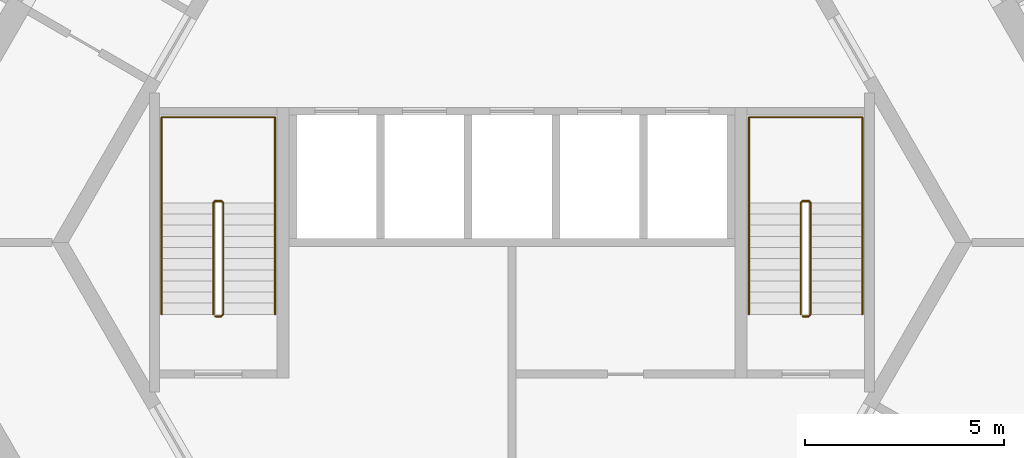
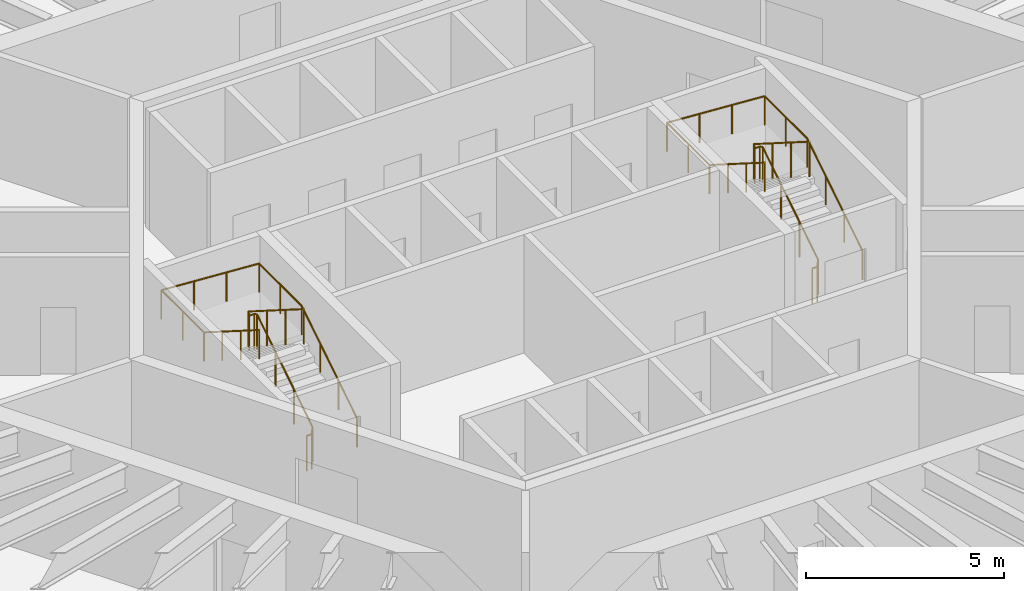
# One storey, part 12 of 12: 4 railings.
"""IFC4 building model written with IfcOpenShell, lengths in metres."""

from ifc_helpers import new_model, si_unit, direction, frame, origin, origin_2d, place, context, subcontext, project, spatial, circle, extrude, material, type_object, element, save


model = new_model("IFC4")

# Units and contexts
model_context = context("Model", 3, precision=1e-05, world=origin(), true_north=direction((0.0, 1.0)))
body_context = subcontext(model_context, "Body", "Model", "MODEL_VIEW")
ifc_project = project(units=[si_unit("LENGTHUNIT", "METRE"), si_unit("AREAUNIT", "SQUARE_METRE"), si_unit("VOLUMEUNIT", "CUBIC_METRE"), si_unit("PLANEANGLEUNIT", "RADIAN"), si_unit("MASSUNIT", "GRAM", prefix="KILO")], contexts=[model_context])

# Site, building, storey
site_placement = place(None, origin())
site = spatial("IfcSite", under=ifc_project, at=site_placement, CompositionType="ELEMENT")
building_placement = place(site_placement, origin())
building = spatial("IfcBuilding", under=site, at=building_placement, Name="Tarnside Tower", CompositionType="ELEMENT")
storey_placement = place(building_placement, frame((0.0, 0.0, 138.89990234375)))
storey = spatial("IfcBuildingStorey", under=building, at=storey_placement, Name="L32", CompositionType="ELEMENT", Elevation=138.89990234375)

# Railings
ifc_material = material(Name="Stainless steel", Category="steel")
railing_type_1 = type_object("IfcRailingType", Name="Stair guard 1100", PredefinedType="GUARDRAIL", material=ifc_material)
railing_1_placement = place(storey_placement, frame((7.300048828125, -1.85009765625, 0.0)))
element("IfcRailing", 1, at=railing_1_placement, inside=storey, type_object=railing_type_1, Name="L32 ST1 stair guard 1", PredefinedType="GUARDRAIL", context=body_context, shape_type="SweptSolid", body=[
    extrude(circle(Radius=0.02392578125, at=origin_2d()), frame((0.0, 0.0, 1.076171875), z_axis=(1.0, 0.0, 0.0), x_axis=(0.0, 1.0, 0.0)), (0.0, 0.0, 1.0), 0.14990234375),
    extrude(circle(Radius=0.02392578125, at=origin_2d()), frame((0.14990234375, 0.0, 1.076171875), z_axis=(0.261922500866, 0.261922500866, 0.928866625022), x_axis=(-0.707106781187, 0.707106781187, 0.0)), (0.0, 0.0, 1.0), 0.191162109375),
    extrude(circle(Radius=0.02392578125, at=origin_2d()), frame((0.199951171875, 0.050048828125, 1.25341796875), z_axis=(0.0, 0.844908973607, 0.534910110503), x_axis=(-1.0, 0.0, 0.0)), (0.0, 0.0, 1.0), 3.31396484375),
    extrude(circle(Radius=0.02392578125, at=origin_2d()), frame((0.199951171875, 2.85009765625, 3.0263671875), z_axis=(-0.707106781187, 0.707106781187, 0.0), x_axis=(-0.707106781187, -0.707106781187, 0.0)), (0.0, 0.0, 1.0), 0.07080078125),
    extrude(circle(Radius=0.02392578125, at=origin_2d()), frame((0.14990234375, 2.900146484375, 3.0263671875), z_axis=(-1.0, 0.0, 0.0), x_axis=(0.0, -1.0, 0.0)), (0.0, 0.0, 1.0), 0.14990234375),
    extrude(circle(Radius=0.02392578125, at=origin_2d()), frame((0.0, 2.900146484375, 3.0263671875), z_axis=(-0.262233686654, -0.262233686654, 0.928691007369), x_axis=(0.707106781187, -0.707106781187, 0.0)), (0.0, 0.0, 1.0), 0.19091796875),
    extrude(circle(Radius=0.02392578125, at=origin_2d()), frame((-0.050048828125, 2.85009765625, 3.20361328125), z_axis=(0.0, -0.844908973607, 0.534910110503), x_axis=(1.0, 0.0, 0.0)), (0.0, 0.0, 1.0), 3.31396484375),
    extrude(circle(Radius=0.02099609375, at=origin_2d()), origin(), (0.0, 0.0, 1.0), 1.052001953125),
    extrude(circle(Radius=0.02099609375, at=origin_2d()), frame((0.14990234375, 0.0, 0.0)), (0.0, 0.0, 1.0), 1.052001953125),
    extrude(circle(Radius=0.02099609375, at=origin_2d()), frame((0.199951171875, 0.050048828125, 0.177490234375)), (0.0, 0.0, 1.0), 1.052001953125),
    extrude(circle(Radius=0.02099609375, at=origin_2d()), frame((0.199951171875, 0.9833984375, 0.768310546875)), (0.0, 0.0, 1.0), 1.052001953125),
    extrude(circle(Radius=0.02099609375, at=origin_2d()), frame((0.199951171875, 1.916748046875, 1.359375)), (0.0, 0.0, 1.0), 1.052001953125),
    extrude(circle(Radius=0.02099609375, at=origin_2d()), frame((0.199951171875, 2.85009765625, 1.9501953125)), (0.0, 0.0, 1.0), 1.052001953125),
    extrude(circle(Radius=0.02099609375, at=origin_2d()), frame((0.14990234375, 2.900146484375, 1.9501953125)), (0.0, 0.0, 1.0), 1.052001953125),
    extrude(circle(Radius=0.02099609375, at=origin_2d()), frame((0.0, 2.900146484375, 1.9501953125)), (0.0, 0.0, 1.0), 1.052001953125),
    extrude(circle(Radius=0.02099609375, at=origin_2d()), frame((-0.050048828125, 2.85009765625, 2.12744140625)), (0.0, 0.0, 1.0), 1.052001953125),
    extrude(circle(Radius=0.02099609375, at=origin_2d()), frame((-0.050048828125, 1.916748046875, 2.71826171875)), (0.0, 0.0, 1.0), 1.052001953125),
    extrude(circle(Radius=0.02099609375, at=origin_2d()), frame((-0.050048828125, 0.9833984375, 3.309326171875)), (0.0, 0.0, 1.0), 1.052001953125),
    extrude(circle(Radius=0.02099609375, at=origin_2d()), frame((-0.050048828125, 0.050048828125, 3.900146484375)), (0.0, 0.0, 1.0), 1.052001953125),
])
railing_2_placement = place(storey_placement, frame((-7.449951171875, -1.85009765625, 0.0)))
element("IfcRailing", 2, at=railing_2_placement, inside=storey, type_object=railing_type_1, Name="L32 ST2 stair guard 1", PredefinedType="GUARDRAIL", context=body_context, shape_type="SweptSolid", body=[
    extrude(circle(Radius=0.02392578125, at=origin_2d()), frame((0.0, 0.0, 1.076171875), z_axis=(1.0, 0.0, 0.0), x_axis=(0.0, 1.0, 0.0)), (0.0, 0.0, 1.0), 0.14990234375),
    extrude(circle(Radius=0.02392578125, at=origin_2d()), frame((0.14990234375, 0.0, 1.076171875), z_axis=(0.261922500866, 0.261922500866, 0.928866625022), x_axis=(-0.707106781187, 0.707106781187, 0.0)), (0.0, 0.0, 1.0), 0.191162109375),
    extrude(circle(Radius=0.02392578125, at=origin_2d()), frame((0.199951171875, 0.050048828125, 1.25341796875), z_axis=(0.0, 0.844908973607, 0.534910110503), x_axis=(-1.0, 0.0, 0.0)), (0.0, 0.0, 1.0), 3.31396484375),
    extrude(circle(Radius=0.02392578125, at=origin_2d()), frame((0.199951171875, 2.85009765625, 3.0263671875), z_axis=(-0.707106781187, 0.707106781187, 0.0), x_axis=(-0.707106781187, -0.707106781187, 0.0)), (0.0, 0.0, 1.0), 0.07080078125),
    extrude(circle(Radius=0.02392578125, at=origin_2d()), frame((0.14990234375, 2.900146484375, 3.0263671875), z_axis=(-1.0, 0.0, 0.0), x_axis=(0.0, -1.0, 0.0)), (0.0, 0.0, 1.0), 0.14990234375),
    extrude(circle(Radius=0.02392578125, at=origin_2d()), frame((0.0, 2.900146484375, 3.0263671875), z_axis=(-0.262233686654, -0.262233686654, 0.928691007369), x_axis=(0.707106781187, -0.707106781187, 0.0)), (0.0, 0.0, 1.0), 0.19091796875),
    extrude(circle(Radius=0.02392578125, at=origin_2d()), frame((-0.050048828125, 2.85009765625, 3.20361328125), z_axis=(0.0, -0.844908973607, 0.534910110503), x_axis=(1.0, 0.0, 0.0)), (0.0, 0.0, 1.0), 3.31396484375),
    extrude(circle(Radius=0.02099609375, at=origin_2d()), origin(), (0.0, 0.0, 1.0), 1.052001953125),
    extrude(circle(Radius=0.02099609375, at=origin_2d()), frame((0.14990234375, 0.0, 0.0)), (0.0, 0.0, 1.0), 1.052001953125),
    extrude(circle(Radius=0.02099609375, at=origin_2d()), frame((0.199951171875, 0.050048828125, 0.177490234375)), (0.0, 0.0, 1.0), 1.052001953125),
    extrude(circle(Radius=0.02099609375, at=origin_2d()), frame((0.199951171875, 0.9833984375, 0.768310546875)), (0.0, 0.0, 1.0), 1.052001953125),
    extrude(circle(Radius=0.02099609375, at=origin_2d()), frame((0.199951171875, 1.916748046875, 1.359375)), (0.0, 0.0, 1.0), 1.052001953125),
    extrude(circle(Radius=0.02099609375, at=origin_2d()), frame((0.199951171875, 2.85009765625, 1.9501953125)), (0.0, 0.0, 1.0), 1.052001953125),
    extrude(circle(Radius=0.02099609375, at=origin_2d()), frame((0.14990234375, 2.900146484375, 1.9501953125)), (0.0, 0.0, 1.0), 1.052001953125),
    extrude(circle(Radius=0.02099609375, at=origin_2d()), frame((0.0, 2.900146484375, 1.9501953125)), (0.0, 0.0, 1.0), 1.052001953125),
    extrude(circle(Radius=0.02099609375, at=origin_2d()), frame((-0.050048828125, 2.85009765625, 2.12744140625)), (0.0, 0.0, 1.0), 1.052001953125),
    extrude(circle(Radius=0.02099609375, at=origin_2d()), frame((-0.050048828125, 1.916748046875, 2.71826171875)), (0.0, 0.0, 1.0), 1.052001953125),
    extrude(circle(Radius=0.02099609375, at=origin_2d()), frame((-0.050048828125, 0.9833984375, 3.309326171875)), (0.0, 0.0, 1.0), 1.052001953125),
    extrude(circle(Radius=0.02099609375, at=origin_2d()), frame((-0.050048828125, 0.050048828125, 3.900146484375)), (0.0, 0.0, 1.0), 1.052001953125),
])
railing_type_2 = type_object("IfcRailingType", Name="Stair handrail 900", PredefinedType="HANDRAIL", material=ifc_material)
railing_3_placement = place(storey_placement, frame((8.800048828125, -1.800048828125, 0.177490234375)))
element("IfcRailing", 3, at=railing_3_placement, inside=storey, type_object=railing_type_2, Name="L32 ST1 stair handrail 1", PredefinedType="HANDRAIL", context=body_context, shape_type="SweptSolid", body=[
    extrude(circle(Radius=0.02392578125, at=origin_2d()), frame((0.0, 0.0, 0.8857421875), z_axis=(0.0, 0.844908973607, 0.534910110503), x_axis=(-1.0, 0.0, 0.0)), (0.0, 0.0, 1.0), 3.31396484375),
    extrude(circle(Radius=0.02392578125, at=origin_2d()), frame((0.0, 2.800048828125, 2.65869140625), z_axis=(0.0, 1.0, 0.0), x_axis=(-1.0, 0.0, 0.0)), (0.0, 0.0, 1.0), 2.14990234375),
    extrude(circle(Radius=0.02392578125, at=origin_2d()), frame((0.0, 4.949951171875, 2.65869140625), z_axis=(-0.998071825391, 0.0, 0.06206956872), x_axis=(0.0, -1.0, 0.0)), (0.0, 0.0, 1.0), 2.855712890625),
    extrude(circle(Radius=0.02392578125, at=origin_2d()), frame((-2.85009765625, 4.949951171875, 2.8359375), z_axis=(0.0, -1.0, 0.0), x_axis=(1.0, 0.0, 0.0)), (0.0, 0.0, 1.0), 2.14990234375),
    extrude(circle(Radius=0.02392578125, at=origin_2d()), frame((-2.85009765625, 2.800048828125, 2.8359375), z_axis=(0.0, -0.844908973607, 0.534910110503), x_axis=(1.0, 0.0, 0.0)), (0.0, 0.0, 1.0), 3.31396484375),
    extrude(circle(Radius=0.02099609375, at=origin_2d()), origin(), (0.0, 0.0, 1.0), 0.86181640625),
    extrude(circle(Radius=0.02099609375, at=origin_2d()), frame((0.0, 0.933349609375, 0.5908203125)), (0.0, 0.0, 1.0), 0.86181640625),
    extrude(circle(Radius=0.02099609375, at=origin_2d()), frame((0.0, 1.86669921875, 1.181884765625)), (0.0, 0.0, 1.0), 0.86181640625),
    extrude(circle(Radius=0.02099609375, at=origin_2d()), frame((0.0, 2.800048828125, 1.772705078125)), (0.0, 0.0, 1.0), 0.86181640625),
    extrude(circle(Radius=0.02099609375, at=origin_2d()), frame((0.0, 3.875, 1.772705078125)), (0.0, 0.0, 1.0), 0.86181640625),
    extrude(circle(Radius=0.02099609375, at=origin_2d()), frame((0.0, 4.949951171875, 1.772705078125)), (0.0, 0.0, 1.0), 0.86181640625),
    extrude(circle(Radius=0.02099609375, at=origin_2d()), frame((-0.949951171875, 4.949951171875, 1.831787109375)), (0.0, 0.0, 1.0), 0.86181640625),
    extrude(circle(Radius=0.02099609375, at=origin_2d()), frame((-1.900146484375, 4.949951171875, 1.890869140625)), (0.0, 0.0, 1.0), 0.86181640625),
    extrude(circle(Radius=0.02099609375, at=origin_2d()), frame((-2.85009765625, 4.949951171875, 1.949951171875)), (0.0, 0.0, 1.0), 0.86181640625),
    extrude(circle(Radius=0.02099609375, at=origin_2d()), frame((-2.85009765625, 3.875, 1.949951171875)), (0.0, 0.0, 1.0), 0.86181640625),
    extrude(circle(Radius=0.02099609375, at=origin_2d()), frame((-2.85009765625, 2.800048828125, 1.949951171875)), (0.0, 0.0, 1.0), 0.86181640625),
    extrude(circle(Radius=0.02099609375, at=origin_2d()), frame((-2.85009765625, 1.86669921875, 2.540771484375)), (0.0, 0.0, 1.0), 0.86181640625),
    extrude(circle(Radius=0.02099609375, at=origin_2d()), frame((-2.85009765625, 0.933349609375, 3.1318359375)), (0.0, 0.0, 1.0), 0.86181640625),
    extrude(circle(Radius=0.02099609375, at=origin_2d()), frame((-2.85009765625, 0.0, 3.72265625)), (0.0, 0.0, 1.0), 0.86181640625),
])
railing_4_placement = place(storey_placement, frame((-5.949951171875, -1.800048828125, 0.177490234375)))
element("IfcRailing", 4, at=railing_4_placement, inside=storey, type_object=railing_type_2, Name="L32 ST2 stair handrail 1", PredefinedType="HANDRAIL", context=body_context, shape_type="SweptSolid", body=[
    extrude(circle(Radius=0.02392578125, at=origin_2d()), frame((0.0, 0.0, 0.8857421875), z_axis=(0.0, 0.844908973607, 0.534910110503), x_axis=(-1.0, 0.0, 0.0)), (0.0, 0.0, 1.0), 3.31396484375),
    extrude(circle(Radius=0.02392578125, at=origin_2d()), frame((0.0, 2.800048828125, 2.65869140625), z_axis=(0.0, 1.0, 0.0), x_axis=(-1.0, 0.0, 0.0)), (0.0, 0.0, 1.0), 2.14990234375),
    extrude(circle(Radius=0.02392578125, at=origin_2d()), frame((0.0, 4.949951171875, 2.65869140625), z_axis=(-0.998071825391, 0.0, 0.06206956872), x_axis=(0.0, -1.0, 0.0)), (0.0, 0.0, 1.0), 2.855712890625),
    extrude(circle(Radius=0.02392578125, at=origin_2d()), frame((-2.85009765625, 4.949951171875, 2.8359375), z_axis=(0.0, -1.0, 0.0), x_axis=(1.0, 0.0, 0.0)), (0.0, 0.0, 1.0), 2.14990234375),
    extrude(circle(Radius=0.02392578125, at=origin_2d()), frame((-2.85009765625, 2.800048828125, 2.8359375), z_axis=(0.0, -0.844908973607, 0.534910110503), x_axis=(1.0, 0.0, 0.0)), (0.0, 0.0, 1.0), 3.31396484375),
    extrude(circle(Radius=0.02099609375, at=origin_2d()), origin(), (0.0, 0.0, 1.0), 0.86181640625),
    extrude(circle(Radius=0.02099609375, at=origin_2d()), frame((0.0, 0.933349609375, 0.5908203125)), (0.0, 0.0, 1.0), 0.86181640625),
    extrude(circle(Radius=0.02099609375, at=origin_2d()), frame((0.0, 1.86669921875, 1.181884765625)), (0.0, 0.0, 1.0), 0.86181640625),
    extrude(circle(Radius=0.02099609375, at=origin_2d()), frame((0.0, 2.800048828125, 1.772705078125)), (0.0, 0.0, 1.0), 0.86181640625),
    extrude(circle(Radius=0.02099609375, at=origin_2d()), frame((0.0, 3.875, 1.772705078125)), (0.0, 0.0, 1.0), 0.86181640625),
    extrude(circle(Radius=0.02099609375, at=origin_2d()), frame((0.0, 4.949951171875, 1.772705078125)), (0.0, 0.0, 1.0), 0.86181640625),
    extrude(circle(Radius=0.02099609375, at=origin_2d()), frame((-0.949951171875, 4.949951171875, 1.831787109375)), (0.0, 0.0, 1.0), 0.86181640625),
    extrude(circle(Radius=0.02099609375, at=origin_2d()), frame((-1.900146484375, 4.949951171875, 1.890869140625)), (0.0, 0.0, 1.0), 0.86181640625),
    extrude(circle(Radius=0.02099609375, at=origin_2d()), frame((-2.85009765625, 4.949951171875, 1.949951171875)), (0.0, 0.0, 1.0), 0.86181640625),
    extrude(circle(Radius=0.02099609375, at=origin_2d()), frame((-2.85009765625, 3.875, 1.949951171875)), (0.0, 0.0, 1.0), 0.86181640625),
    extrude(circle(Radius=0.02099609375, at=origin_2d()), frame((-2.85009765625, 2.800048828125, 1.949951171875)), (0.0, 0.0, 1.0), 0.86181640625),
    extrude(circle(Radius=0.02099609375, at=origin_2d()), frame((-2.85009765625, 1.86669921875, 2.540771484375)), (0.0, 0.0, 1.0), 0.86181640625),
    extrude(circle(Radius=0.02099609375, at=origin_2d()), frame((-2.85009765625, 0.933349609375, 3.1318359375)), (0.0, 0.0, 1.0), 0.86181640625),
    extrude(circle(Radius=0.02099609375, at=origin_2d()), frame((-2.85009765625, 0.0, 3.72265625)), (0.0, 0.0, 1.0), 0.86181640625),
])

save(model, "model.ifc")
